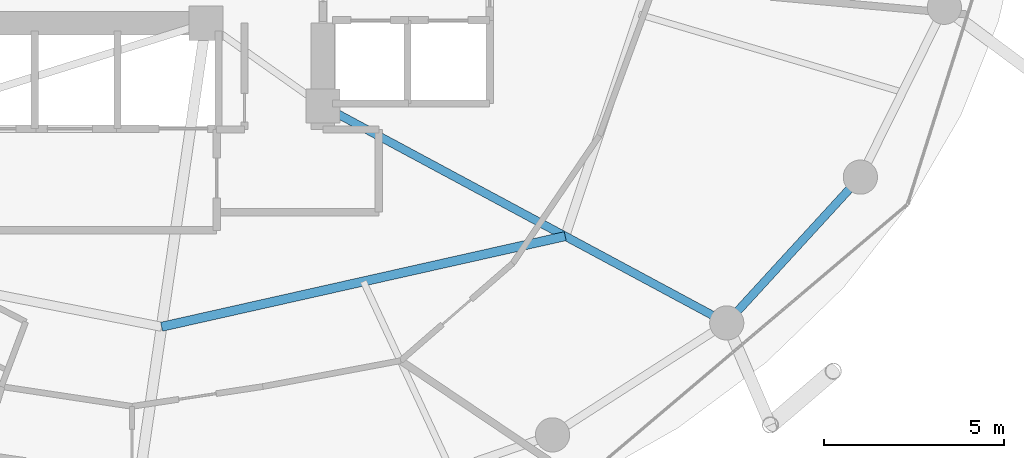
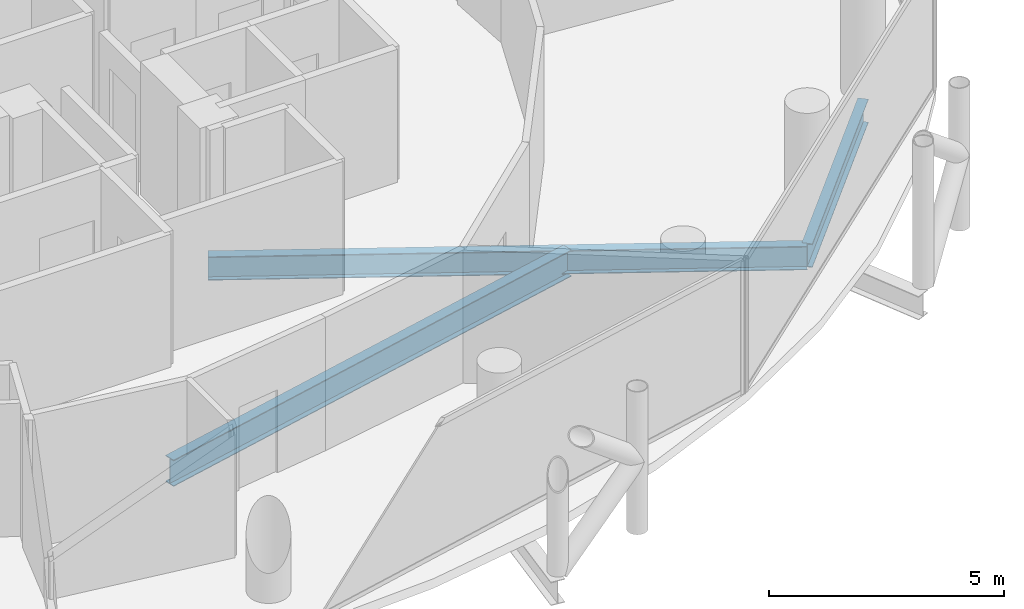
# One storey, part 9 of 26: 3 beams.
"""IFC4 building model written with IfcOpenShell, lengths in metres."""

from ifc_helpers import new_model, si_unit, direction, frame, origin, origin_2d, place, context, subcontext, project, spatial, i_section, extrude, material, material_profile, profile_set, type_object, element, save


model = new_model("IFC4")

# Units and contexts
model_context = context("Model", 3, precision=1e-05, world=origin(), true_north=direction((0.0, 1.0)))
body_context = subcontext(model_context, "Body", "Model", "MODEL_VIEW")
ifc_project = project(units=[si_unit("LENGTHUNIT", "METRE"), si_unit("AREAUNIT", "SQUARE_METRE"), si_unit("VOLUMEUNIT", "CUBIC_METRE"), si_unit("PLANEANGLEUNIT", "RADIAN"), si_unit("MASSUNIT", "GRAM", prefix="KILO")], contexts=[model_context])

# Site, building, storey
site_placement = place(None, origin())
site = spatial("IfcSite", under=ifc_project, at=site_placement, CompositionType="ELEMENT")
building_placement = place(site_placement, origin())
building = spatial("IfcBuilding", under=site, at=building_placement, Name="Nuhasar Tower", CompositionType="ELEMENT")
storey_placement = place(building_placement, frame((0.0, 0.0, 170.050048828125)))
storey = spatial("IfcBuildingStorey", under=building, at=storey_placement, Name="L41", CompositionType="ELEMENT", Elevation=170.050048828125)

# Beams
ifc_material = material(Name="Steel S355", Category="steel")
ifc_material_profile_1 = material_profile(ifc_material, i_section(OverallWidth=0.25390625, OverallDepth=0.68408203125, WebThickness=0.012451171875, FlangeThickness=0.018798828125, at=origin_2d()), Name="W27X94")
ifc_profile_set_1 = profile_set([ifc_material_profile_1], Name="Steel S355")
beam_type_1 = type_object("IfcBeamType", Name="BM-INRING-W27X94", PredefinedType="BEAM", material=ifc_profile_set_1)
beam_1_placement = place(storey_placement, frame((39.820068359375, 12.8701171875, -0.592041015625), z_axis=(0.975716159385, 0.219038755282, 0.0), x_axis=(-0.219038755282, 0.975716159385, 0.0)))
element("IfcBeam", 1, at=beam_1_placement, inside=storey, type_object=beam_type_1, Name="L41 Inner Header Beam 02", PredefinedType="BEAM", context=body_context, shape_type="SweptSolid", body=[
    extrude(i_section(OverallWidth=0.25390625, OverallDepth=0.68408203125, WebThickness=0.012451171875, FlangeThickness=0.018798828125, at=origin_2d()), origin(), (0.0, 0.0, 1.0), 11.48583984375),
])
ifc_material_profile_2 = material_profile(ifc_material, i_section(OverallWidth=0.22900390625, OverallDepth=0.612060546875, WebThickness=0.011962890625, FlangeThickness=0.01953125, at=origin_2d()), Name="W24X84")
ifc_profile_set_2 = profile_set([ifc_material_profile_2], Name="Steel S355")
beam_type_2 = type_object("IfcBeamType", Name="BM-RAD-W24X84", PredefinedType="BEAM", material=ifc_profile_set_2)
beam_2_placement = place(storey_placement, frame((44.300048828125, 19.0, -0.55615234375), z_axis=(0.880888386928, -0.473324043098, 0.0), x_axis=(0.473324043098, 0.880888386928, 0.0)))
element("IfcBeam", 2, at=beam_2_placement, inside=storey, type_object=beam_type_2, Name="L41 Radial Floor Girder 03", PredefinedType="BEAM", context=body_context, shape_type="SweptSolid", body=[
    extrude(i_section(OverallWidth=0.22900390625, OverallDepth=0.612060546875, WebThickness=0.011962890625, FlangeThickness=0.01953125, at=origin_2d()), origin(), (0.0, 0.0, 1.0), 12.726806640625),
])
ifc_material_profile_3 = material_profile(ifc_material, i_section(OverallWidth=0.22998046875, OverallDepth=0.616943359375, WebThickness=0.01318359375, FlangeThickness=0.022216796875, at=origin_2d()), Name="W24X94")
ifc_profile_set_3 = profile_set([ifc_material_profile_3], Name="Steel S355")
beam_type_3 = type_object("IfcBeamType", Name="BM-RING-W24X94", PredefinedType="SPANDREL", material=ifc_profile_set_3)
beam_3_placement = place(storey_placement, frame((55.510986328125, 12.97607421875, -0.55810546875), z_axis=(0.675676316545, 0.737198423262, 0.0), x_axis=(-0.737198423262, 0.675676316545, 0.0)))
element("IfcBeam", 3, at=beam_3_placement, inside=storey, type_object=beam_type_3, Name="L41 Perimeter Ring Spandrel 22", PredefinedType="SPANDREL", context=body_context, shape_type="SweptSolid", body=[
    extrude(i_section(OverallWidth=0.22998046875, OverallDepth=0.616943359375, WebThickness=0.01318359375, FlangeThickness=0.022216796875, at=origin_2d()), origin(), (0.0, 0.0, 1.0), 5.4921875),
])

save(model, "model.ifc")
